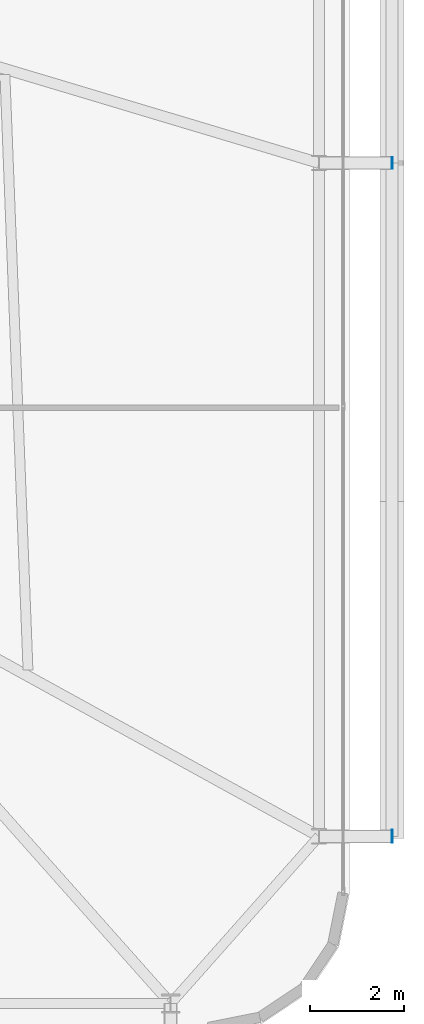
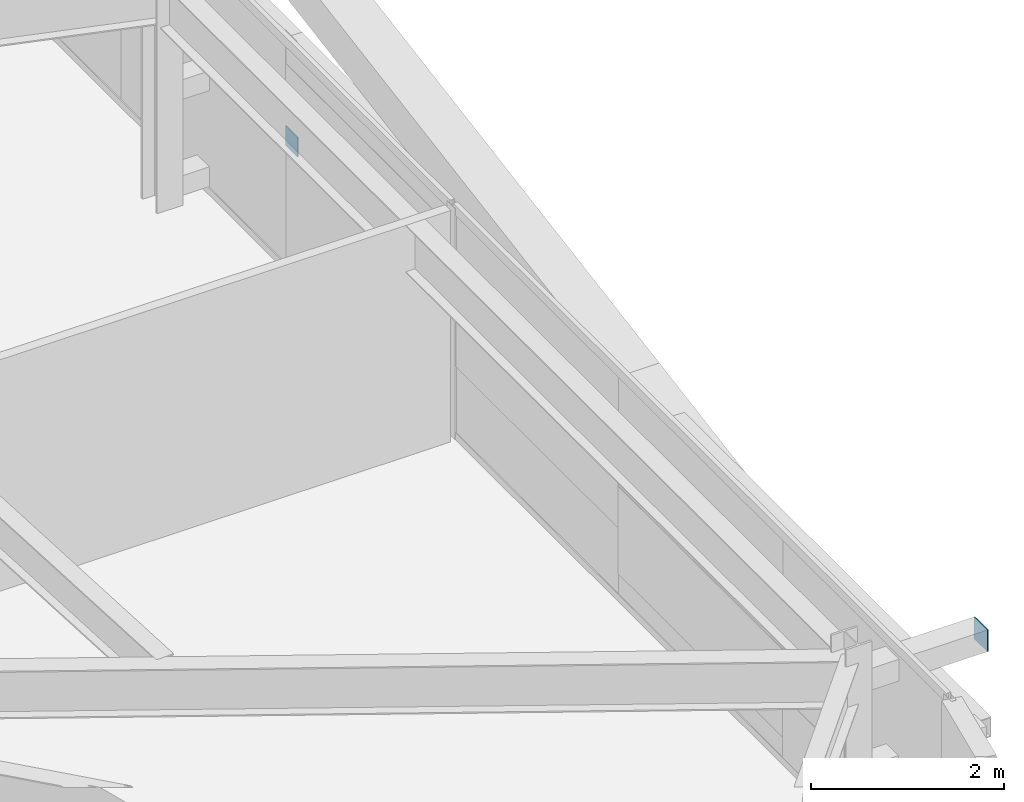
# One storey, part 35 of 44: 2 plates.
"""IFC4 building model written with IfcOpenShell, lengths in metres."""

import ifcopenshell
import ifcopenshell.guid

model = None  # the IFC model being written
_history = None  # IfcOwnerHistory: only IFC2X3 demands one
_inside = {}  # id of a spatial element -> (the spatial element, [elements in it])
_under = {}  # id of a project, library or spatial element -> (it, [spatial elements below it])
_declared = {}  # id of a project -> (the project, [libraries it declares])
_typed = {}  # id of a type object -> (the type object, [elements of that type])
_made_of = {}  # id of a material, layer set ... -> (it, [elements and type objects made of it])


def new_model(schema):
    """Start an empty IFC model of exactly this schema.

    Asked for "IFC4X3", IfcOpenShell would pick the latest addendum, in which some entities
    have other attributes; the version numbers below select the first issue.
    IFC2X3 requires an IfcOwnerHistory on every rooted entity: one is made here for all.
    """
    global model, _history
    if schema == "IFC4X3":
        model = ifcopenshell.file(schema_version=(4, 3, 0, 0))
    else:
        model = ifcopenshell.file(schema=schema)
    _inside.clear()
    _under.clear()
    _declared.clear()
    _typed.clear()
    _made_of.clear()
    _history = None
    if model.schema == "IFC2X3":
        org = make("IfcOrganization", Name="unknown")
        user = make(
            "IfcPersonAndOrganization",
            ThePerson=make("IfcPerson", FamilyName="unknown"),
            TheOrganization=org,
        )
        app = make(
            "IfcApplication",
            ApplicationDeveloper=org,
            Version="unknown",
            ApplicationFullName="unknown",
            ApplicationIdentifier="unknown",
        )
        _history = make(
            "IfcOwnerHistory",
            OwningUser=user,
            OwningApplication=app,
            ChangeAction="ADDED",
            CreationDate=0,
        )
    return model


def make(cls, **values):
    """One entity of the class cls with the attributes given. An attribute that is None is left unset."""
    return model.create_entity(
        cls, **{name: value for name, value in values.items() if value is not None}
    )


def rooted(cls, **values):
    """An entity with a GlobalId (a new one), such as an element, a storey or a relation."""
    return make(cls, GlobalId=ifcopenshell.guid.new(), OwnerHistory=_history, **values)


def si_unit(unit_type, name, prefix=None):
    """IfcSIUnit, for example si_unit("LENGTHUNIT", "METRE", prefix="MILLI")."""
    return make("IfcSIUnit", UnitType=unit_type, Prefix=prefix, Name=name)


def assignment(units):
    """IfcUnitAssignment: the units of a project."""
    return None if units is None else make("IfcUnitAssignment", Units=units)


def point(xyz):
    """IfcCartesianPoint."""
    return None if xyz is None else make("IfcCartesianPoint", Coordinates=xyz)


def direction(xyz):
    """IfcDirection."""
    return None if xyz is None else make("IfcDirection", DirectionRatios=xyz)


def frame(location, z_axis=None, x_axis=None):
    """IfcAxis2Placement3D, a coordinate frame: its origin and axes. An axis left out is left unset."""
    return make(
        "IfcAxis2Placement3D",
        Location=point(location),
        Axis=direction(z_axis),
        RefDirection=direction(x_axis),
    )


def frame_2d(location, x_axis=None):
    """IfcAxis2Placement2D, a coordinate frame in the plane: its origin and x axis."""
    return make(
        "IfcAxis2Placement2D", Location=point(location), RefDirection=direction(x_axis)
    )


def origin():
    """The frame at (0, 0, 0) with its axes left unset."""
    return frame((0.0, 0.0, 0.0))


def origin_2d():
    """The frame at (0, 0) in the plane with its x axis left unset."""
    return frame_2d((0.0, 0.0))


def place(relative_to, where):
    """IfcLocalPlacement: puts the frame where relative to a parent placement (None: the world)."""
    return make(
        "IfcLocalPlacement", PlacementRelTo=relative_to, RelativePlacement=where
    )


def context(
    kind, dimensions, precision=None, world=None, true_north=None, identifier=None
):
    """IfcGeometricRepresentationContext, for example the 3D "Model" context."""
    return make(
        "IfcGeometricRepresentationContext",
        ContextIdentifier=identifier,
        ContextType=kind,
        CoordinateSpaceDimension=dimensions,
        Precision=precision,
        WorldCoordinateSystem=world,
        TrueNorth=true_north,
    )


def subcontext(parent, identifier, kind, view, scale=None):
    """IfcGeometricRepresentationSubContext, for example "Body" below "Model"."""
    return make(
        "IfcGeometricRepresentationSubContext",
        ContextIdentifier=identifier,
        ContextType=kind,
        ParentContext=parent,
        TargetScale=scale,
        TargetView=view,
    )


def project(units=None, contexts=None):
    """IfcProject with its units and contexts."""
    return rooted(
        "IfcProject",
        Name="project",
        RepresentationContexts=contexts,
        UnitsInContext=assignment(units),
    )


def spatial(cls, under=None, at=None, **own):
    """A site, building, storey or space (cls), placed at a placement, below another one or the project."""
    s = rooted(cls, ObjectPlacement=at, **own)
    if under is not None:
        _under.setdefault(under.id(), (under, []))[1].append(s)
    return s


def profile(cls, at=None, kind="AREA", **sizes):
    """A parametric profile (cls). Its sizes go by their IFC names, for example OverallWidth=200.0."""
    return make(cls, ProfileType=kind, Position=at, **sizes)


def rectangle(**sizes):
    """IfcRectangleProfileDef."""
    return profile("IfcRectangleProfileDef", **sizes)


def extrude(swept, where, along, depth):
    """IfcExtrudedAreaSolid: the profile swept, set in the frame where, extruded along a direction by depth."""
    return make(
        "IfcExtrudedAreaSolid",
        SweptArea=swept,
        Position=where,
        ExtrudedDirection=direction(along),
        Depth=depth,
    )


def shape(context_of_items, identifier, shape_type, items):
    """IfcShapeRepresentation: the items that make up one representation, for example the "Body"."""
    return make(
        "IfcShapeRepresentation",
        ContextOfItems=context_of_items,
        RepresentationIdentifier=identifier,
        RepresentationType=shape_type,
        Items=items,
    )


def source(mapping_origin, context_of_items, identifier, shape_type, items):
    """IfcRepresentationMap: a shape defined once, which mapped items show again and again."""
    return make(
        "IfcRepresentationMap",
        MappingOrigin=mapping_origin,
        MappedRepresentation=shape(context_of_items, identifier, shape_type, items),
    )


def transform(
    local_origin,
    x_axis=None,
    y_axis=None,
    z_axis=None,
    scale=None,
    scale2=None,
    scale3=None,
    uniform=True,
):
    """IfcCartesianTransformationOperator3D, or its non-uniform kind. x_axis, y_axis, z_axis: its Axis1, 2, 3."""
    if uniform:
        return make(
            "IfcCartesianTransformationOperator3D",
            Axis1=direction(x_axis),
            Axis2=direction(y_axis),
            LocalOrigin=point(local_origin),
            Scale=scale,
            Axis3=direction(z_axis),
        )
    return make(
        "IfcCartesianTransformationOperator3DnonUniform",
        Axis1=direction(x_axis),
        Axis2=direction(y_axis),
        LocalOrigin=point(local_origin),
        Scale=scale,
        Axis3=direction(z_axis),
        Scale2=scale2,
        Scale3=scale3,
    )


def mapped(mapping_source, mapping_target):
    """IfcMappedItem: shows the shape of a source again, moved by a transform."""
    return make(
        "IfcMappedItem", MappingSource=mapping_source, MappingTarget=mapping_target
    )


def material(Name=None, Category=None):
    """IfcMaterial."""
    return make("IfcMaterial", Name=Name, Category=Category)


def layer(
    of_material, thickness, ventilated=None, Name=None, Category=None, Priority=None
):
    """IfcMaterialLayer: one layer of a wall or slab, of a material (None: an air gap)."""
    return make(
        "IfcMaterialLayer",
        Material=of_material,
        LayerThickness=thickness,
        IsVentilated=ventilated,
        Name=Name,
        Category=Category,
        Priority=Priority,
    )


def layer_set(layers, Name=None):
    """IfcMaterialLayerSet."""
    return make("IfcMaterialLayerSet", MaterialLayers=layers, LayerSetName=Name)


def made_of(thing, what):
    """Note that an element or type object is made of a material, layer set ...; save() writes the relation."""
    if what is not None:
        _made_of.setdefault(what.id(), (what, []))[1].append(thing)
    return thing


def type_object(cls, material=None, **own):
    """A type object (cls), such as IfcWallType, which elements share."""
    return made_of(rooted(cls, **own), material)


def element(
    cls,
    number,
    at=None,
    inside=None,
    cuts=None,
    type_object=None,
    material=None,
    context=None,
    identifier="Body",
    shape_type=None,
    held_by="IfcProductDefinitionShape",
    body=None,
    shapes=None,
    **own,
):
    """One element of the class cls, such as IfcWall. Its Tag is "e" and its number.

    at: its placement. inside: the storey or other place that contains it. cuts: it is an
    opening in that element (IfcRelVoidsElement). A single representation is given by context,
    identifier, shape_type and body (its items); several are given by shapes. held_by: the class
    of the entity that holds the representations. save() writes the other relations.
    """
    e = rooted(cls, Tag="e%d" % number, ObjectPlacement=at, **own)
    if body is not None:
        shapes = [shape(context, identifier, shape_type, body)]
    if shapes is not None:
        e.Representation = make(held_by, Representations=shapes)
    if inside is not None:
        _inside.setdefault(inside.id(), (inside, []))[1].append(e)
    if cuts is not None:
        rooted(
            "IfcRelVoidsElement", RelatingBuildingElement=cuts, RelatedOpeningElement=e
        )
    if type_object is not None:
        _typed.setdefault(type_object.id(), (type_object, []))[1].append(e)
    return made_of(e, material)


def aggregate(whole, parts):
    """IfcRelAggregates: a whole, such as a stair, and the parts it consists of."""
    return rooted("IfcRelAggregates", RelatingObject=whole, RelatedObjects=parts)


def save(model, path):
    """Write the relations noted so far, then the file.

    IfcRelAggregates (storeys below a building ...), IfcRelContainedInSpatialStructure (elements
    in a storey), IfcRelDefinesByType, IfcRelAssociatesMaterial and IfcRelDeclares: one each for
    every whole, place, type object, material and project.
    """
    for whole, parts in _under.values():
        aggregate(whole, parts)
    for where, things in _inside.values():
        rooted(
            "IfcRelContainedInSpatialStructure",
            RelatedElements=things,
            RelatingStructure=where,
        )
    for kind, things in _typed.values():
        rooted("IfcRelDefinesByType", RelatedObjects=things, RelatingType=kind)
    for what, things in _made_of.values():
        rooted("IfcRelAssociatesMaterial", RelatedObjects=things, RelatingMaterial=what)
    for by, libraries in _declared.values():
        rooted("IfcRelDeclares", RelatingContext=by, RelatedDefinitions=libraries)
    model.write(path)


model = new_model("IFC4")

# Units and contexts
model_context = context("Model", 3, precision=1e-05, world=origin(), true_north=direction((0.0, 1.0)))
body_context = subcontext(model_context, "Body", "Model", "MODEL_VIEW")
ifc_project = project(units=[si_unit("LENGTHUNIT", "METRE"), si_unit("AREAUNIT", "SQUARE_METRE"), si_unit("VOLUMEUNIT", "CUBIC_METRE"), si_unit("PLANEANGLEUNIT", "RADIAN"), si_unit("MASSUNIT", "GRAM", prefix="KILO")], contexts=[model_context])

# Site, building, storey
site_placement = place(None, origin())
site = spatial("IfcSite", under=ifc_project, at=site_placement, CompositionType="ELEMENT")
building_placement = place(site_placement, origin())
building = spatial("IfcBuilding", under=site, at=building_placement, Name="Taldren Reach Tower", CompositionType="ELEMENT")
storey_placement = place(building_placement, frame((0.0, 0.0, 42.0)))
storey = spatial("IfcBuildingStorey", under=building, at=storey_placement, Name="L12", CompositionType="ELEMENT", Elevation=42.0)

# Plates
ifc_material_1 = material(Name="Steel Gr 450 (C450L0)", Category="steel")
ifc_layer_1 = layer(ifc_material_1, 0.011962890625)
ifc_layer_set_1 = layer_set([ifc_layer_1], Name="Steel Gr 450 (C450L0)")
plate_type_1 = type_object("IfcPlateType", Name="PL-CAP-275", PredefinedType="SHEET", material=ifc_layer_set_1)
shared_shape_1 = source(origin(), body_context, "Body", "SweptSolid", [
    extrude(rectangle(XDim=0.011962890625, YDim=0.27490234375, at=origin_2d()), origin(), (0.0, 0.0, 1.0), 0.27490234375),
])
plate_1_placement = place(storey_placement, frame((65.906005859375, 5.699951171875, 2.512451171875), z_axis=(0.0, 0.0, 1.0), x_axis=(1.0, 0.0, 0.0)))
element("IfcPlate", 1, at=plate_1_placement, inside=storey, type_object=plate_type_1, Name="Tie strut end cap plate B1-E1 L12", PredefinedType="SHEET", context=body_context, shape_type="MappedRepresentation", body=[
    mapped(shared_shape_1, transform((0.0, 0.0, 0.0), scale=1.0)),
])
ifc_material_2 = material(Name="Steel Gr 350 (C350L0)", Category="steel")
ifc_layer_2 = layer(ifc_material_2, 0.011962890625)
ifc_layer_set_2 = layer_set([ifc_layer_2], Name="Steel Gr 350 (C350L0)")
plate_type_2 = type_object("IfcPlateType", Name="PL-CAP-250", PredefinedType="SHEET", material=ifc_layer_set_2)
shared_shape_2 = source(origin(), body_context, "Body", "SweptSolid", [
    extrude(rectangle(XDim=0.011962890625, YDim=0.25, at=origin_2d()), origin(), (0.0, 0.0, 1.0), 0.25),
])
plate_2_placement = place(storey_placement, frame((65.906005859375, 20.0, 0.094970703125), z_axis=(0.0, 0.0, 1.0), x_axis=(1.0, 0.0, 0.0)))
element("IfcPlate", 2, at=plate_2_placement, inside=storey, type_object=plate_type_2, Name="Tie strut end cap plate B1-E2 L12", PredefinedType="SHEET", context=body_context, shape_type="MappedRepresentation", body=[
    mapped(shared_shape_2, transform((0.0, 0.0, 0.0), scale=1.0)),
])

save(model, "model.ifc")
